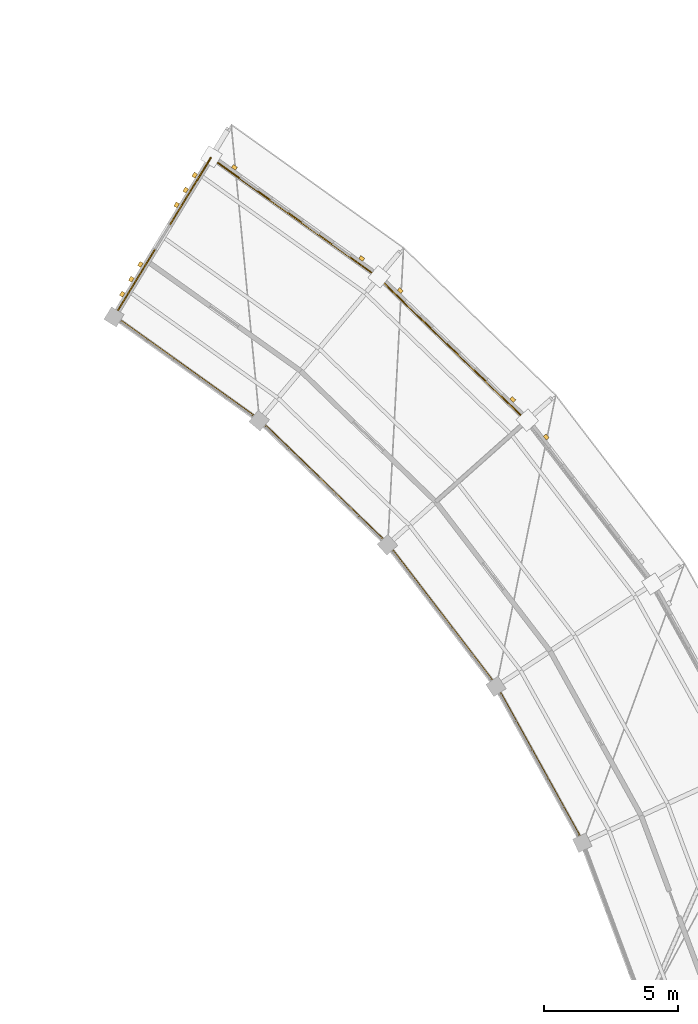
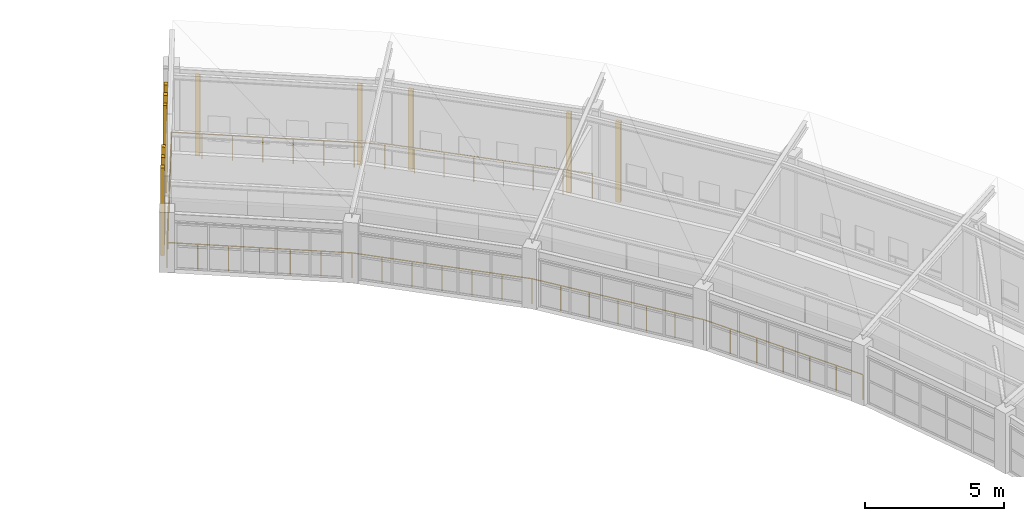
# One storey, part 146 of 149: 11 coverings, 7 railings.
"""IFC4 building model written with IfcOpenShell, lengths in metres."""

from ifc_helpers import new_model, si_unit, direction, frame, origin, origin_2d, place, context, subcontext, project, spatial, rectangle, circle, extrude, material, layer, layer_set, type_object, element, save


model = new_model("IFC4")

# Units and contexts
model_context = context("Model", 3, precision=1e-05, world=origin(), true_north=direction((0.0, 1.0)))
body_context = subcontext(model_context, "Body", "Model", "MODEL_VIEW")
ifc_project = project(units=[si_unit("LENGTHUNIT", "METRE"), si_unit("AREAUNIT", "SQUARE_METRE"), si_unit("VOLUMEUNIT", "CUBIC_METRE"), si_unit("PLANEANGLEUNIT", "RADIAN"), si_unit("MASSUNIT", "GRAM", prefix="KILO")], contexts=[model_context])

# Site, building, storey
site_placement = place(None, origin())
site = spatial("IfcSite", under=ifc_project, at=site_placement, CompositionType="ELEMENT")
building_placement = place(site_placement, origin())
building = spatial("IfcBuilding", under=site, at=building_placement, Name="Celadon Cloister-Ring School", CompositionType="ELEMENT")
storey_placement = place(building_placement, frame((0.0, 0.0, 12.5)))
storey = spatial("IfcBuildingStorey", under=building, at=storey_placement, Name="L03", CompositionType="ELEMENT", Elevation=12.5)

# Coverings
ifc_material_1 = material(Name="Perforated terracotta clay brick masonry", Category="masonry")
ifc_layer = layer(ifc_material_1, 0.139892578125)
ifc_layer_set = layer_set([ifc_layer], Name="Perforated terracotta clay brick masonry")
covering_type = type_object("IfcCoveringType", Name="CV-SC1", PredefinedType="CLADDING", material=ifc_layer_set)
for number, where, z_axis, x_axis, name in (
    (1, (126.535888671875, 92.955078125, -0.00048828125), (0.0, 0.0, 1.0), (0.6079857272, -0.793947955172, 0.0), "Brick Screen Rib 0414"),
    (2, (121.0859375, 98.424072265625, -0.00048828125), (0.0, 0.0, 1.0), (0.718587686634, -0.695436364176, 0.0), "Brick Screen Rib 0416"),
    (3, (125.2890625, 94.35595703125, -0.00048828125), (0.0, 0.0, 1.0), (0.718587686634, -0.695436364176, 0.0), "Brick Screen Rib 0417"),
    (4, (114.887939453125, 103.027099609375, -0.00048828125), (0.0, 0.0, 1.0), (0.813415600856, -0.581682955126, 0.0), "Brick Screen Rib 0418"),
    (5, (119.64599609375, 99.6240234375, -0.00048828125), (0.0, 0.0, 1.0), (0.813415600856, -0.581682955126, 0.0), "Brick Screen Rib 0419"),
):
    element("IfcCovering", number, at=place(storey_placement, frame(where, z_axis=z_axis, x_axis=x_axis)), inside=storey, type_object=covering_type, Name=name, PredefinedType="CLADDING", context=body_context, shape_type="SweptSolid", body=[
        extrude(rectangle(XDim=0.179931640625, YDim=0.139892578125, at=origin_2d()), origin(), (0.0, 0.0, 1.0), 3.51708984375),
    ])
for number, where, z_axis, x_axis, name in (
    (6, (110.701904296875, 98.2919921875, 0.0), (0.0, 0.0, 1.0), (0.51986207177, 0.854250212956, 0.0), "Brick Screen Rib 0426"),
    (7, (111.0400390625, 98.847900390625, 0.0), (0.0, 0.0, 1.0), (0.51986207177, 0.854250212956, 0.0), "Brick Screen Rib 0427"),
    (8, (111.3779296875, 99.403076171875, 0.0), (0.0, 0.0, 1.0), (0.51986207177, 0.854250212956, 0.0), "Brick Screen Rib 0428"),
    (9, (112.72998046875, 101.6240234375, 0.0), (0.0, 0.0, 1.0), (0.51986207177, 0.854250212956, 0.0), "Brick Screen Rib 0429"),
    (10, (113.068115234375, 102.178955078125, 0.0), (0.0, 0.0, 1.0), (0.51986207177, 0.854250212956, 0.0), "Brick Screen Rib 0430"),
    (11, (113.405029296875, 102.735107421875, 0.0), (0.0, 0.0, 1.0), (0.51986207177, 0.854250212956, 0.0), "Brick Screen Rib 0431"),
):
    element("IfcCovering", number, at=place(storey_placement, frame(where, z_axis=z_axis, x_axis=x_axis)), inside=storey, type_object=covering_type, Name=name, PredefinedType="CLADDING", context=body_context, shape_type="SweptSolid", body=[
        extrude(rectangle(XDim=0.179931640625, YDim=0.139892578125, at=origin_2d()), origin(), (0.0, 0.0, 1.0), 3.830078125),
    ])

# Railings
ifc_material_2 = material(Name="Structural steel S355JR", Category="steel")
railing_type = type_object("IfcRailingType", Name="RL-BL1", PredefinedType="BALUSTRADE", material=ifc_material_2)
railing_1_placement = place(storey_placement, frame((125.802978515625, 93.556884765625, 0.0)))
element("IfcRailing", 12, at=railing_1_placement, inside=storey, type_object=railing_type, Name="Terrace Balustrade 0178", PredefinedType="BALUSTRADE", context=body_context, shape_type="SweptSolid", body=[
    extrude(circle(Radius=0.02392578125, at=origin_2d()), frame((0.0, 0.0, 1.09619140625), z_axis=(-0.718571468131, 0.695453122208, 0.0), x_axis=(-0.695453122208, -0.718571468131, 0.0)), (0.0, 0.0, 1.0), 7.698486328125),
    extrude(circle(Radius=0.02099609375, at=origin_2d()), origin(), (0.0, 0.0, 1.0), 1.072021484375),
    extrude(circle(Radius=0.02099609375, at=origin_2d()), frame((-0.790283203125, 0.764892578125, 0.0)), (0.0, 0.0, 1.0), 1.072021484375),
    extrude(circle(Radius=0.02099609375, at=origin_2d()), frame((-1.58056640625, 1.52978515625, 0.0)), (0.0, 0.0, 1.0), 1.072021484375),
    extrude(circle(Radius=0.02099609375, at=origin_2d()), frame((-2.370849609375, 2.294677734375, 0.0)), (0.0, 0.0, 1.0), 1.072021484375),
    extrude(circle(Radius=0.02099609375, at=origin_2d()), frame((-3.1611328125, 3.059326171875, 0.0)), (0.0, 0.0, 1.0), 1.072021484375),
    extrude(circle(Radius=0.02099609375, at=origin_2d()), frame((-3.951416015625, 3.82421875, 0.0)), (0.0, 0.0, 1.0), 1.072021484375),
    extrude(circle(Radius=0.02099609375, at=origin_2d()), frame((-4.74169921875, 4.589111328125, 0.0)), (0.0, 0.0, 1.0), 1.072021484375),
    extrude(circle(Radius=0.02099609375, at=origin_2d()), frame((-5.531982421875, 5.35400390625, 0.0)), (0.0, 0.0, 1.0), 1.072021484375),
])
railing_2_placement = place(storey_placement, frame((120.27099609375, 98.910888671875, 0.0)))
element("IfcRailing", 13, at=railing_2_placement, inside=storey, type_object=railing_type, Name="Terrace Balustrade 0179", PredefinedType="BALUSTRADE", context=body_context, shape_type="SweptSolid", body=[
    extrude(circle(Radius=0.02392578125, at=origin_2d()), frame((0.0, 0.0, 1.09619140625), z_axis=(-0.81343117442, 0.581661176702, 0.0), x_axis=(-0.581661176702, -0.81343117442, 0.0)), (0.0, 0.0, 1.0), 7.697021484375),
    extrude(circle(Radius=0.02099609375, at=origin_2d()), origin(), (0.0, 0.0, 1.0), 1.072021484375),
    extrude(circle(Radius=0.02099609375, at=origin_2d()), frame((-0.89453125, 0.6396484375, 0.0)), (0.0, 0.0, 1.0), 1.072021484375),
    extrude(circle(Radius=0.02099609375, at=origin_2d()), frame((-1.788818359375, 1.279052734375, 0.0)), (0.0, 0.0, 1.0), 1.072021484375),
    extrude(circle(Radius=0.02099609375, at=origin_2d()), frame((-2.683349609375, 1.918701171875, 0.0)), (0.0, 0.0, 1.0), 1.072021484375),
    extrude(circle(Radius=0.02099609375, at=origin_2d()), frame((-3.57763671875, 2.558349609375, 0.0)), (0.0, 0.0, 1.0), 1.072021484375),
    extrude(circle(Radius=0.02099609375, at=origin_2d()), frame((-4.47216796875, 3.197998046875, 0.0)), (0.0, 0.0, 1.0), 1.072021484375),
    extrude(circle(Radius=0.02099609375, at=origin_2d()), frame((-5.366455078125, 3.83740234375, 0.0)), (0.0, 0.0, 1.0), 1.072021484375),
    extrude(circle(Radius=0.02099609375, at=origin_2d()), frame((-6.260986328125, 4.47705078125, 0.0)), (0.0, 0.0, 1.0), 1.072021484375),
])
railing_3_placement = place(storey_placement, frame((127.9208984375, 77.818115234375, 0.0)))
element("IfcRailing", 14, at=railing_3_placement, inside=storey, type_object=railing_type, Name="Terrace Balustrade 0211", PredefinedType="BALUSTRADE", context=body_context, shape_type="SweptSolid", body=[
    extrude(circle(Radius=0.02392578125, at=origin_2d()), frame((0.0, 0.0, 1.09619140625), z_axis=(-0.484057808808, 0.87503602082, 0.0), x_axis=(-0.87503602082, -0.484057808808, 0.0)), (0.0, 0.0, 1.0), 6.672607421875),
    extrude(circle(Radius=0.02099609375, at=origin_2d()), origin(), (0.0, 0.0, 1.0), 1.072021484375),
    extrude(circle(Radius=0.02099609375, at=origin_2d()), frame((-0.538330078125, 0.97314453125, 0.0)), (0.0, 0.0, 1.0), 1.072021484375),
    extrude(circle(Radius=0.02099609375, at=origin_2d()), frame((-1.07666015625, 1.9462890625, 0.0)), (0.0, 0.0, 1.0), 1.072021484375),
    extrude(circle(Radius=0.02099609375, at=origin_2d()), frame((-1.614990234375, 2.91943359375, 0.0)), (0.0, 0.0, 1.0), 1.072021484375),
    extrude(circle(Radius=0.02099609375, at=origin_2d()), frame((-2.1533203125, 3.892578125, 0.0)), (0.0, 0.0, 1.0), 1.072021484375),
    extrude(circle(Radius=0.02099609375, at=origin_2d()), frame((-2.691650390625, 4.86572265625, 0.0)), (0.0, 0.0, 1.0), 1.072021484375),
    extrude(circle(Radius=0.02099609375, at=origin_2d()), frame((-3.22998046875, 5.8388671875, 0.0)), (0.0, 0.0, 1.0), 1.072021484375),
])
railing_4_placement = place(storey_placement, frame((124.69091796875, 83.656982421875, 0.0)))
element("IfcRailing", 15, at=railing_4_placement, inside=storey, type_object=railing_type, Name="Terrace Balustrade 0212", PredefinedType="BALUSTRADE", context=body_context, shape_type="SweptSolid", body=[
    extrude(circle(Radius=0.02392578125, at=origin_2d()), frame((0.0, 0.0, 1.09619140625), z_axis=(-0.607868330809, 0.79403784066, 0.0), x_axis=(-0.79403784066, -0.607868330809, 0.0)), (0.0, 0.0, 1.0), 6.67236328125),
    extrude(circle(Radius=0.02099609375, at=origin_2d()), origin(), (0.0, 0.0, 1.0), 1.072021484375),
    extrude(circle(Radius=0.02099609375, at=origin_2d()), frame((-0.676025390625, 0.883056640625, 0.0)), (0.0, 0.0, 1.0), 1.072021484375),
    extrude(circle(Radius=0.02099609375, at=origin_2d()), frame((-1.35205078125, 1.76611328125, 0.0)), (0.0, 0.0, 1.0), 1.072021484375),
    extrude(circle(Radius=0.02099609375, at=origin_2d()), frame((-2.02783203125, 2.64892578125, 0.0)), (0.0, 0.0, 1.0), 1.072021484375),
    extrude(circle(Radius=0.02099609375, at=origin_2d()), frame((-2.703857421875, 3.531982421875, 0.0)), (0.0, 0.0, 1.0), 1.072021484375),
    extrude(circle(Radius=0.02099609375, at=origin_2d()), frame((-3.3798828125, 4.4150390625, 0.0)), (0.0, 0.0, 1.0), 1.072021484375),
    extrude(circle(Radius=0.02099609375, at=origin_2d()), frame((-4.055908203125, 5.298095703125, 0.0)), (0.0, 0.0, 1.0), 1.072021484375),
])
railing_5_placement = place(storey_placement, frame((120.635009765625, 88.955078125, 0.0)))
element("IfcRailing", 16, at=railing_5_placement, inside=storey, type_object=railing_type, Name="Terrace Balustrade 0213", PredefinedType="BALUSTRADE", context=body_context, shape_type="SweptSolid", body=[
    extrude(circle(Radius=0.02392578125, at=origin_2d()), frame((0.0, 0.0, 1.09619140625), z_axis=(-0.718628684271, 0.695393999214, 0.0), x_axis=(-0.695393999214, -0.718628684271, 0.0)), (0.0, 0.0, 1.0), 6.67236328125),
    extrude(circle(Radius=0.02099609375, at=origin_2d()), origin(), (0.0, 0.0, 1.0), 1.072021484375),
    extrude(circle(Radius=0.02099609375, at=origin_2d()), frame((-0.799072265625, 0.7734375, 0.0)), (0.0, 0.0, 1.0), 1.072021484375),
    extrude(circle(Radius=0.02099609375, at=origin_2d()), frame((-1.598388671875, 1.546630859375, 0.0)), (0.0, 0.0, 1.0), 1.072021484375),
    extrude(circle(Radius=0.02099609375, at=origin_2d()), frame((-2.3974609375, 2.31982421875, 0.0)), (0.0, 0.0, 1.0), 1.072021484375),
    extrude(circle(Radius=0.02099609375, at=origin_2d()), frame((-3.196533203125, 3.09326171875, 0.0)), (0.0, 0.0, 1.0), 1.072021484375),
    extrude(circle(Radius=0.02099609375, at=origin_2d()), frame((-3.995849609375, 3.86669921875, 0.0)), (0.0, 0.0, 1.0), 1.072021484375),
    extrude(circle(Radius=0.02099609375, at=origin_2d()), frame((-4.794921875, 4.639892578125, 0.0)), (0.0, 0.0, 1.0), 1.072021484375),
])
railing_6_placement = place(storey_placement, frame((115.840087890625, 93.594970703125, 0.0)))
element("IfcRailing", 17, at=railing_6_placement, inside=storey, type_object=railing_type, Name="Terrace Balustrade 0214", PredefinedType="BALUSTRADE", context=body_context, shape_type="SweptSolid", body=[
    extrude(circle(Radius=0.02392578125, at=origin_2d()), frame((0.0, 0.0, 1.09619140625), z_axis=(-0.813332778837, 0.581798754613, 0.0), x_axis=(-0.581798754613, -0.813332778837, 0.0)), (0.0, 0.0, 1.0), 6.672607421875),
    extrude(circle(Radius=0.02099609375, at=origin_2d()), origin(), (0.0, 0.0, 1.0), 1.072021484375),
    extrude(circle(Radius=0.02099609375, at=origin_2d()), frame((-0.904541015625, 0.64697265625, 0.0)), (0.0, 0.0, 1.0), 1.072021484375),
    extrude(circle(Radius=0.02099609375, at=origin_2d()), frame((-1.80908203125, 1.2939453125, 0.0)), (0.0, 0.0, 1.0), 1.072021484375),
    extrude(circle(Radius=0.02099609375, at=origin_2d()), frame((-2.71337890625, 1.94091796875, 0.0)), (0.0, 0.0, 1.0), 1.072021484375),
    extrude(circle(Radius=0.02099609375, at=origin_2d()), frame((-3.617919921875, 2.588134765625, 0.0)), (0.0, 0.0, 1.0), 1.072021484375),
    extrude(circle(Radius=0.02099609375, at=origin_2d()), frame((-4.5224609375, 3.235107421875, 0.0)), (0.0, 0.0, 1.0), 1.072021484375),
    extrude(circle(Radius=0.02099609375, at=origin_2d()), frame((-5.427001953125, 3.882080078125, 0.0)), (0.0, 0.0, 1.0), 1.072021484375),
])
railing_7_placement = place(storey_placement, frame((110.4130859375, 97.47705078125, 0.0)))
element("IfcRailing", 18, at=railing_7_placement, inside=storey, type_object=railing_type, Name="Terrace Balustrade 0216", PredefinedType="BALUSTRADE", context=body_context, shape_type="SweptSolid", body=[
    extrude(circle(Radius=0.02392578125, at=origin_2d()), frame((0.0, 0.0, 1.09619140625), z_axis=(0.519840603898, 0.854263277063, 0.0), x_axis=(-0.854263277063, 0.519840603898, 0.0)), (0.0, 0.0, 1.0), 6.919189453125),
    extrude(circle(Radius=0.02099609375, at=origin_2d()), origin(), (0.0, 0.0, 1.0), 1.072021484375),
    extrude(circle(Radius=0.02099609375, at=origin_2d()), frame((0.599609375, 0.985107421875, 0.0)), (0.0, 0.0, 1.0), 1.072021484375),
    extrude(circle(Radius=0.02099609375, at=origin_2d()), frame((1.198974609375, 1.97021484375, 0.0)), (0.0, 0.0, 1.0), 1.072021484375),
    extrude(circle(Radius=0.02099609375, at=origin_2d()), frame((1.79833984375, 2.95556640625, 0.0)), (0.0, 0.0, 1.0), 1.072021484375),
    extrude(circle(Radius=0.02099609375, at=origin_2d()), frame((2.39794921875, 3.940673828125, 0.0)), (0.0, 0.0, 1.0), 1.072021484375),
    extrude(circle(Radius=0.02099609375, at=origin_2d()), frame((2.99755859375, 4.92578125, 0.0)), (0.0, 0.0, 1.0), 1.072021484375),
    extrude(circle(Radius=0.02099609375, at=origin_2d()), frame((3.596923828125, 5.910888671875, 0.0)), (0.0, 0.0, 1.0), 1.072021484375),
])

save(model, "model.ifc")
